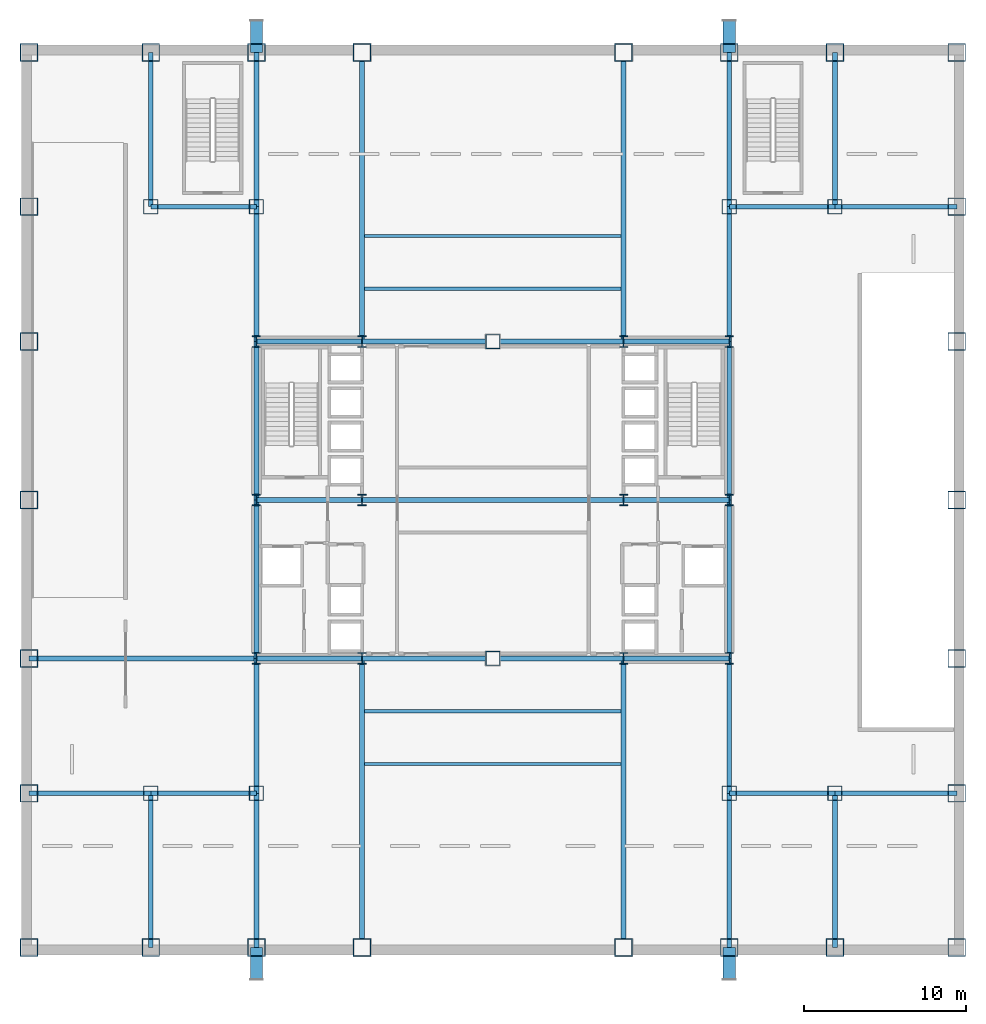
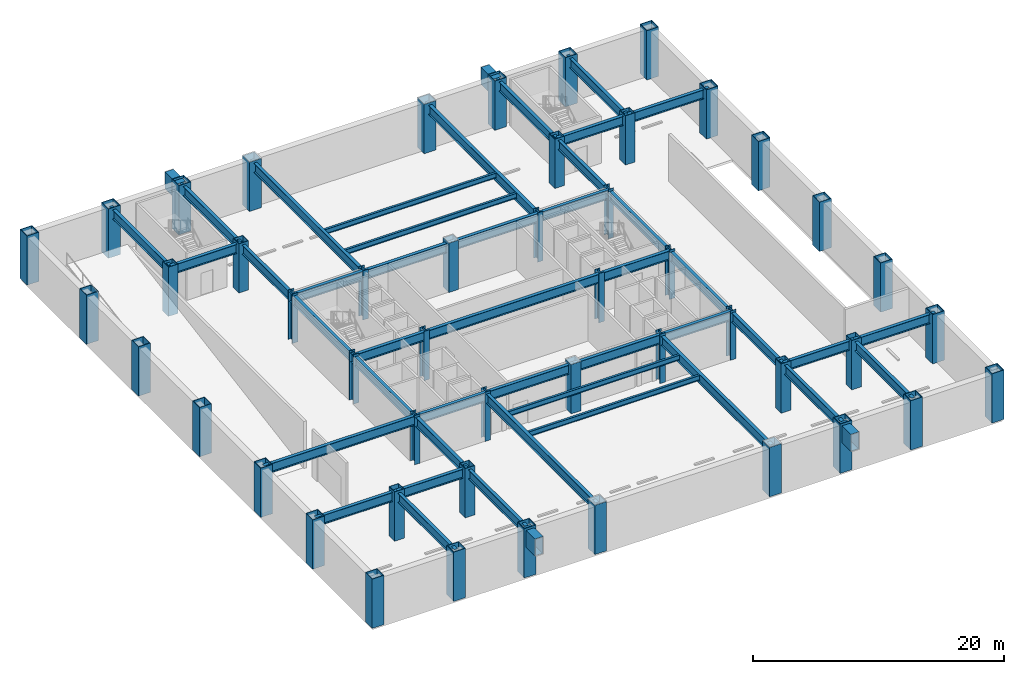
# One storey, part 1 of 10: 48 columns, 47 beams.
"""IFC4 building model written with IfcOpenShell, lengths in metres."""

from ifc_helpers import new_model, si_unit, direction, frame, origin, origin_2d, place, context, subcontext, project, spatial, hollow_rectangle, i_section, extrude, material, material_profile, profile_set, type_object, element, save


model = new_model("IFC4")

# Units and contexts
model_context = context("Model", 3, precision=1e-05, world=origin(), true_north=direction((0.0, 1.0)))
body_context = subcontext(model_context, "Body", "Model", "MODEL_VIEW")
ifc_project = project(units=[si_unit("LENGTHUNIT", "METRE"), si_unit("AREAUNIT", "SQUARE_METRE"), si_unit("VOLUMEUNIT", "CUBIC_METRE"), si_unit("PLANEANGLEUNIT", "RADIAN"), si_unit("MASSUNIT", "GRAM", prefix="KILO")], contexts=[model_context])

# Site, building, storey
site_placement = place(None, origin())
site = spatial("IfcSite", under=ifc_project, at=site_placement, CompositionType="ELEMENT")
building_placement = place(site_placement, origin())
building = spatial("IfcBuilding", under=site, at=building_placement, Name="Brelmoor Portico Tower", CompositionType="ELEMENT")
storey_placement = place(building_placement, frame((0.0, 0.0, -4.800048828125)))
storey = spatial("IfcBuildingStorey", under=building, at=storey_placement, Name="B1", CompositionType="ELEMENT", Elevation=-4.800048828125)

# Columns
ifc_material_1 = material(Name="Steel Q420B", Category="steel")
ifc_material_profile_1 = material_profile(ifc_material_1, hollow_rectangle(XDim=1.10009765625, YDim=1.10009765625, WallThickness=0.054931640625, at=origin_2d()), Name="BOX 1100x1100x55")
ifc_profile_set_1 = profile_set([ifc_material_profile_1], Name="Steel Q420B")
column_type_1 = type_object("IfcColumnType", Name="COL-MEGA-1100", PredefinedType="COLUMN", material=ifc_profile_set_1)
for number, where, z_axis, x_axis, name in (
    (1, (-28.550048828125, -27.550048828125, 0.0), (0.0, 0.0, 1.0), (1.0, 0.0, 0.0), "B1 Perimeter Mega-Column PS01"),
    (2, (-21.050048828125, -27.550048828125, 0.0), (0.0, 0.0, 1.0), (1.0, 0.0, 0.0), "B1 Perimeter Mega-Column PS02"),
    (3, (-14.550048828125, -27.550048828125, 0.0), (0.0, 0.0, 1.0), (1.0, 0.0, 0.0), "B1 Perimeter Mega-Column PS03"),
    (4, (-8.050048828125, -27.550048828125, 0.0), (0.0, 0.0, 1.0), (1.0, 0.0, 0.0), "B1 Perimeter Mega-Column PS04"),
    (5, (8.050048828125, -27.550048828125, 0.0), (0.0, 0.0, 1.0), (1.0, 0.0, 0.0), "B1 Perimeter Mega-Column PS05"),
    (6, (14.550048828125, -27.550048828125, 0.0), (0.0, 0.0, 1.0), (1.0, 0.0, 0.0), "B1 Perimeter Mega-Column PS06"),
    (7, (21.050048828125, -27.550048828125, 0.0), (0.0, 0.0, 1.0), (1.0, 0.0, 0.0), "B1 Perimeter Mega-Column PS07"),
    (8, (28.550048828125, -27.550048828125, 0.0), (0.0, 0.0, 1.0), (1.0, 0.0, 0.0), "B1 Perimeter Mega-Column PS08"),
    (9, (-28.550048828125, 27.550048828125, 0.0), (0.0, 0.0, 1.0), (1.0, 0.0, 0.0), "B1 Perimeter Mega-Column PN09"),
    (10, (-21.050048828125, 27.550048828125, 0.0), (0.0, 0.0, 1.0), (1.0, 0.0, 0.0), "B1 Perimeter Mega-Column PN10"),
    (11, (-14.550048828125, 27.550048828125, 0.0), (0.0, 0.0, 1.0), (1.0, 0.0, 0.0), "B1 Perimeter Mega-Column PN11"),
    (12, (-8.050048828125, 27.550048828125, 0.0), (0.0, 0.0, 1.0), (1.0, 0.0, 0.0), "B1 Perimeter Mega-Column PN12"),
    (13, (8.050048828125, 27.550048828125, 0.0), (0.0, 0.0, 1.0), (1.0, 0.0, 0.0), "B1 Perimeter Mega-Column PN13"),
    (14, (14.550048828125, 27.550048828125, 0.0), (0.0, 0.0, 1.0), (1.0, 0.0, 0.0), "B1 Perimeter Mega-Column PN14"),
    (15, (21.050048828125, 27.550048828125, 0.0), (0.0, 0.0, 1.0), (1.0, 0.0, 0.0), "B1 Perimeter Mega-Column PN15"),
    (16, (28.550048828125, 27.550048828125, 0.0), (0.0, 0.0, 1.0), (1.0, 0.0, 0.0), "B1 Perimeter Mega-Column PN16"),
    (17, (-28.550048828125, -18.050048828125, 0.0), (0.0, 0.0, 1.0), (0.0, 1.0, 0.0), "B1 Perimeter Mega-Column PW17"),
    (18, (28.550048828125, -18.050048828125, 0.0), (0.0, 0.0, 1.0), (0.0, 1.0, 0.0), "B1 Perimeter Mega-Column PE18"),
    (19, (-28.550048828125, -9.75, 0.0), (0.0, 0.0, 1.0), (0.0, 1.0, 0.0), "B1 Perimeter Mega-Column PW19"),
    (20, (28.550048828125, -9.75, 0.0), (0.0, 0.0, 1.0), (0.0, 1.0, 0.0), "B1 Perimeter Mega-Column PE20"),
    (21, (-28.550048828125, 0.0, 0.0), (0.0, 0.0, 1.0), (0.0, 1.0, 0.0), "B1 Perimeter Mega-Column PW21"),
    (22, (28.550048828125, 0.0, 0.0), (0.0, 0.0, 1.0), (0.0, 1.0, 0.0), "B1 Perimeter Mega-Column PE22"),
    (23, (-28.550048828125, 9.75, 0.0), (0.0, 0.0, 1.0), (0.0, 1.0, 0.0), "B1 Perimeter Mega-Column PW23"),
    (24, (28.550048828125, 9.75, 0.0), (0.0, 0.0, 1.0), (0.0, 1.0, 0.0), "B1 Perimeter Mega-Column PE24"),
    (25, (-28.550048828125, 18.050048828125, 0.0), (0.0, 0.0, 1.0), (0.0, 1.0, 0.0), "B1 Perimeter Mega-Column PW25"),
    (26, (28.550048828125, 18.050048828125, 0.0), (0.0, 0.0, 1.0), (0.0, 1.0, 0.0), "B1 Perimeter Mega-Column PE26"),
):
    element("IfcColumn", number, at=place(storey_placement, frame(where, z_axis=z_axis, x_axis=x_axis)), inside=storey, type_object=column_type_1, Name=name, PredefinedType="COLUMN", context=body_context, shape_type="SweptSolid", body=[
        extrude(hollow_rectangle(XDim=1.10009765625, YDim=1.10009765625, WallThickness=0.054931640625, at=origin_2d()), origin(), (0.0, 0.0, 1.0), 4.800048828125),
    ])
ifc_material_2 = material(Name="Steel Q355B", Category="steel")
ifc_material_profile_2 = material_profile(ifc_material_2, hollow_rectangle(XDim=0.89990234375, YDim=0.89990234375, WallThickness=0.044921875, at=origin_2d()), Name="BOX 900x900x45")
ifc_profile_set_2 = profile_set([ifc_material_profile_2], Name="Steel Q355B")
column_type_2 = type_object("IfcColumnType", Name="COL-MEGA-900", PredefinedType="COLUMN", material=ifc_profile_set_2)
for number, where, z_axis, x_axis, name in (
    (27, (0.0, -9.75, 0.0), (0.0, 0.0, 1.0), (1.0, 0.0, 0.0), "B1 Basement Central Column CB-S"),
    (28, (0.0, 9.75, 0.0), (0.0, 0.0, 1.0), (1.0, 0.0, 0.0), "B1 Basement Central Column CB-N"),
    (29, (-21.050048828125, -18.050048828125, 0.0), (0.0, 0.0, 1.0), (1.0, 0.0, 0.0), "B1 Podium Pier Column PP-SW1"),
    (30, (-14.550048828125, -18.050048828125, 0.0), (0.0, 0.0, 1.0), (1.0, 0.0, 0.0), "B1 Podium Pier Column PP-SW2"),
    (31, (-21.050048828125, 18.050048828125, 0.0), (0.0, 0.0, 1.0), (1.0, 0.0, 0.0), "B1 Podium Pier Column PP-NW1"),
    (32, (-14.550048828125, 18.050048828125, 0.0), (0.0, 0.0, 1.0), (1.0, 0.0, 0.0), "B1 Podium Pier Column PP-NW2"),
    (33, (14.550048828125, -18.050048828125, 0.0), (0.0, 0.0, 1.0), (1.0, 0.0, 0.0), "B1 Podium Pier Column PP-SE1"),
    (34, (21.050048828125, -18.050048828125, 0.0), (0.0, 0.0, 1.0), (1.0, 0.0, 0.0), "B1 Podium Pier Column PP-SE2"),
    (35, (14.550048828125, 18.050048828125, 0.0), (0.0, 0.0, 1.0), (1.0, 0.0, 0.0), "B1 Podium Pier Column PP-NE1"),
    (36, (21.050048828125, 18.050048828125, 0.0), (0.0, 0.0, 1.0), (1.0, 0.0, 0.0), "B1 Podium Pier Column PP-NE2"),
):
    element("IfcColumn", number, at=place(storey_placement, frame(where, z_axis=z_axis, x_axis=x_axis)), inside=storey, type_object=column_type_2, Name=name, PredefinedType="COLUMN", context=body_context, shape_type="SweptSolid", body=[
        extrude(hollow_rectangle(XDim=0.89990234375, YDim=0.89990234375, WallThickness=0.044921875, at=origin_2d()), origin(), (0.0, 0.0, 1.0), 4.800048828125),
    ])
ifc_material_profile_3 = material_profile(ifc_material_1, i_section(OverallWidth=0.5, OverallDepth=0.699951171875, WebThickness=0.028076171875, FlangeThickness=0.044921875, at=origin_2d()), Name="HW 700x500x28x45")
ifc_profile_set_3 = profile_set([ifc_material_profile_3], Name="Steel Q420B")
column_type_3 = type_object("IfcColumnType", Name="COL-SPINE-700", PredefinedType="COLUMN", material=ifc_profile_set_3)
for number, where, z_axis, x_axis, name in (
    (37, (-14.550048828125, -9.75, 0.0), (0.0, 0.0, 1.0), (1.0, 0.0, 0.0), "B1 Core Spine Column CW-SW"),
    (38, (-14.550048828125, 0.0, 0.0), (0.0, 0.0, 1.0), (1.0, 0.0, 0.0), "B1 Core Spine Column CW-MW"),
    (39, (-14.550048828125, 9.75, 0.0), (0.0, 0.0, 1.0), (1.0, 0.0, 0.0), "B1 Core Spine Column CW-NW"),
    (40, (-8.050048828125, -9.75, 0.0), (0.0, 0.0, 1.0), (1.0, 0.0, 0.0), "B1 Core Spine Column CW-SE"),
    (41, (-8.050048828125, 0.0, 0.0), (0.0, 0.0, 1.0), (1.0, 0.0, 0.0), "B1 Core Spine Column CW-ME"),
    (42, (-8.050048828125, 9.75, 0.0), (0.0, 0.0, 1.0), (1.0, 0.0, 0.0), "B1 Core Spine Column CW-NE"),
    (43, (8.050048828125, -9.75, 0.0), (0.0, 0.0, 1.0), (1.0, 0.0, 0.0), "B1 Core Spine Column CE-SW"),
    (44, (8.050048828125, 0.0, 0.0), (0.0, 0.0, 1.0), (1.0, 0.0, 0.0), "B1 Core Spine Column CE-MW"),
    (45, (8.050048828125, 9.75, 0.0), (0.0, 0.0, 1.0), (1.0, 0.0, 0.0), "B1 Core Spine Column CE-NW"),
    (46, (14.550048828125, -9.75, 0.0), (0.0, 0.0, 1.0), (1.0, 0.0, 0.0), "B1 Core Spine Column CE-SE"),
    (47, (14.550048828125, 0.0, 0.0), (0.0, 0.0, 1.0), (1.0, 0.0, 0.0), "B1 Core Spine Column CE-ME"),
    (48, (14.550048828125, 9.75, 0.0), (0.0, 0.0, 1.0), (1.0, 0.0, 0.0), "B1 Core Spine Column CE-NE"),
):
    element("IfcColumn", number, at=place(storey_placement, frame(where, z_axis=z_axis, x_axis=x_axis)), inside=storey, type_object=column_type_3, Name=name, PredefinedType="COLUMN", context=body_context, shape_type="SweptSolid", body=[
        extrude(i_section(OverallWidth=0.5, OverallDepth=0.699951171875, WebThickness=0.028076171875, FlangeThickness=0.044921875, at=origin_2d()), origin(), (0.0, 0.0, 1.0), 4.800048828125),
    ])

# Beams
ifc_material_profile_4 = material_profile(ifc_material_2, i_section(OverallWidth=0.199951171875, OverallDepth=0.5, WebThickness=0.010009765625, FlangeThickness=0.01611328125, at=origin_2d()), Name="HN 500x200x10x16")
ifc_profile_set_4 = profile_set([ifc_material_profile_4], Name="Steel Q355B")
beam_type_1 = type_object("IfcBeamType", Name="BM-JS-500", PredefinedType="JOIST", material=ifc_profile_set_4)
for number, where, z_axis, x_axis, name in (
    (49, (-7.89990234375, -16.25, 4.330078125), (1.0, 0.0, 0.0), (0.0, 1.0, 0.0), "B1 Secondary Composite Joist JS-C01"),
    (50, (-7.89990234375, -13.0, 4.330078125), (1.0, 0.0, 0.0), (0.0, 1.0, 0.0), "B1 Secondary Composite Joist JS-C02"),
    (51, (-7.89990234375, 13.0, 4.330078125), (1.0, 0.0, 0.0), (0.0, 1.0, 0.0), "B1 Secondary Composite Joist JS-C03"),
    (52, (-7.89990234375, 16.25, 4.330078125), (1.0, 0.0, 0.0), (0.0, 1.0, 0.0), "B1 Secondary Composite Joist JS-C04"),
):
    element("IfcBeam", number, at=place(storey_placement, frame(where, z_axis=z_axis, x_axis=x_axis)), inside=storey, type_object=beam_type_1, Name=name, PredefinedType="JOIST", context=body_context, shape_type="SweptSolid", body=[
        extrude(i_section(OverallWidth=0.199951171875, OverallDepth=0.5, WebThickness=0.010009765625, FlangeThickness=0.01611328125, at=origin_2d()), origin(), (0.0, 0.0, 1.0), 15.7998046875),
    ])
ifc_material_profile_5 = material_profile(ifc_material_2, hollow_rectangle(XDim=0.75, YDim=1.659912109375, WallThickness=0.0419921875, at=origin_2d()), Name="BOX 750x1660x42")
ifc_profile_set_5 = profile_set([ifc_material_profile_5], Name="Steel Q355B")
beam_type_2 = type_object("IfcBeamType", Name="BM-PF-CANT", PredefinedType="BEAM", material=ifc_profile_set_5)
for number, where, z_axis, x_axis, name in (
    (53, (-14.550048828125, -29.5, 3.75), (0.0, 1.0, 0.0), (-1.0, 0.0, 0.0), "B1 Entrance Portal Outrigger Transfer Cantilever EPB-01"),
    (54, (14.550048828125, -29.5, 3.75), (0.0, 1.0, 0.0), (-1.0, 0.0, 0.0), "B1 Entrance Portal Outrigger Transfer Cantilever EPB-02"),
    (55, (-14.550048828125, 27.550048828125, 3.75), (0.0, 1.0, 0.0), (-1.0, 0.0, 0.0), "B1 Entrance Portal Outrigger Transfer Cantilever EPB-03"),
    (56, (14.550048828125, 27.550048828125, 3.75), (0.0, 1.0, 0.0), (-1.0, 0.0, 0.0), "B1 Entrance Portal Outrigger Transfer Cantilever EPB-04"),
):
    element("IfcBeam", number, at=place(storey_placement, frame(where, z_axis=z_axis, x_axis=x_axis)), inside=storey, type_object=beam_type_2, Name=name, PredefinedType="BEAM", context=body_context, shape_type="SweptSolid", body=[
        extrude(hollow_rectangle(XDim=0.75, YDim=1.659912109375, WallThickness=0.0419921875, at=origin_2d()), origin(), (0.0, 0.0, 1.0), 1.949951171875),
    ])
ifc_material_profile_6 = material_profile(ifc_material_2, i_section(OverallWidth=0.300048828125, OverallDepth=0.89990234375, WebThickness=0.01611328125, FlangeThickness=0.028076171875, at=origin_2d()), Name="HN 900x300x16x28")
ifc_profile_set_6 = profile_set([ifc_material_profile_6], Name="Steel Q355B")
beam_type_3 = type_object("IfcBeamType", Name="BM-PG-900", PredefinedType="BEAM", material=ifc_profile_set_6)
for number, where, z_axis, x_axis, name in (
    (57, (-21.050048828125, -27.550048828125, 4.130126953125), (0.0, 1.0, 0.0), (-1.0, 0.0, 0.0), "B1 Primary Floor Girder PG-01"),
    (58, (-21.050048828125, 18.050048828125, 4.130126953125), (0.0, 1.0, 0.0), (-1.0, 0.0, 0.0), "B1 Primary Floor Girder PG-02"),
    (59, (-14.550048828125, -27.550048828125, 4.130126953125), (0.0, 1.0, 0.0), (-1.0, 0.0, 0.0), "B1 Primary Floor Girder PG-03"),
):
    element("IfcBeam", number, at=place(storey_placement, frame(where, z_axis=z_axis, x_axis=x_axis)), inside=storey, type_object=beam_type_3, Name=name, PredefinedType="BEAM", context=body_context, shape_type="SweptSolid", body=[
        extrude(i_section(OverallWidth=0.300048828125, OverallDepth=0.89990234375, WebThickness=0.01611328125, FlangeThickness=0.028076171875, at=origin_2d()), origin(), (0.0, 0.0, 1.0), 9.5),
    ])
beam_1_placement = place(storey_placement, frame((-14.550048828125, -18.050048828125, 4.130126953125), z_axis=(0.0, 1.0, 0.0), x_axis=(-1.0, 0.0, 0.0)))
element("IfcBeam", 60, at=beam_1_placement, inside=storey, type_object=beam_type_3, Name="B1 Primary Floor Girder PG-04", PredefinedType="BEAM", context=body_context, shape_type="SweptSolid", body=[
    extrude(i_section(OverallWidth=0.300048828125, OverallDepth=0.89990234375, WebThickness=0.01611328125, FlangeThickness=0.028076171875, at=origin_2d()), origin(), (0.0, 0.0, 1.0), 8.300048828125),
])
for number, where, z_axis, x_axis, name in (
    (61, (-14.550048828125, -9.75, 4.130126953125), (0.0, 1.0, 0.0), (-1.0, 0.0, 0.0), "B1 Primary Floor Girder PG-05"),
    (62, (-14.550048828125, 0.0, 4.130126953125), (0.0, 1.0, 0.0), (-1.0, 0.0, 0.0), "B1 Primary Floor Girder PG-06"),
):
    element("IfcBeam", number, at=place(storey_placement, frame(where, z_axis=z_axis, x_axis=x_axis)), inside=storey, type_object=beam_type_3, Name=name, PredefinedType="BEAM", context=body_context, shape_type="SweptSolid", body=[
        extrude(i_section(OverallWidth=0.300048828125, OverallDepth=0.89990234375, WebThickness=0.01611328125, FlangeThickness=0.028076171875, at=origin_2d()), origin(), (0.0, 0.0, 1.0), 9.75),
    ])
beam_2_placement = place(storey_placement, frame((-14.550048828125, 9.75, 4.130126953125), z_axis=(0.0, 1.0, 0.0), x_axis=(-1.0, 0.0, 0.0)))
element("IfcBeam", 63, at=beam_2_placement, inside=storey, type_object=beam_type_3, Name="B1 Primary Floor Girder PG-07", PredefinedType="BEAM", context=body_context, shape_type="SweptSolid", body=[
    extrude(i_section(OverallWidth=0.300048828125, OverallDepth=0.89990234375, WebThickness=0.01611328125, FlangeThickness=0.028076171875, at=origin_2d()), origin(), (0.0, 0.0, 1.0), 8.300048828125),
])
beam_3_placement = place(storey_placement, frame((-14.550048828125, 18.050048828125, 4.130126953125), z_axis=(0.0, 1.0, 0.0), x_axis=(-1.0, 0.0, 0.0)))
element("IfcBeam", 64, at=beam_3_placement, inside=storey, type_object=beam_type_3, Name="B1 Primary Floor Girder PG-08", PredefinedType="BEAM", context=body_context, shape_type="SweptSolid", body=[
    extrude(i_section(OverallWidth=0.300048828125, OverallDepth=0.89990234375, WebThickness=0.01611328125, FlangeThickness=0.028076171875, at=origin_2d()), origin(), (0.0, 0.0, 1.0), 9.5),
])
for number, where, z_axis, x_axis, name in (
    (65, (-8.050048828125, -27.550048828125, 4.130126953125), (0.0, 1.0, 0.0), (-1.0, 0.0, 0.0), "B1 Primary Floor Girder PG-09"),
    (66, (-8.050048828125, 9.75, 4.130126953125), (0.0, 1.0, 0.0), (-1.0, 0.0, 0.0), "B1 Primary Floor Girder PG-10"),
    (67, (8.050048828125, -27.550048828125, 4.130126953125), (0.0, 1.0, 0.0), (-1.0, 0.0, 0.0), "B1 Primary Floor Girder PG-11"),
    (68, (8.050048828125, 9.75, 4.130126953125), (0.0, 1.0, 0.0), (-1.0, 0.0, 0.0), "B1 Primary Floor Girder PG-12"),
):
    element("IfcBeam", number, at=place(storey_placement, frame(where, z_axis=z_axis, x_axis=x_axis)), inside=storey, type_object=beam_type_3, Name=name, PredefinedType="BEAM", context=body_context, shape_type="SweptSolid", body=[
        extrude(i_section(OverallWidth=0.300048828125, OverallDepth=0.89990234375, WebThickness=0.01611328125, FlangeThickness=0.028076171875, at=origin_2d()), origin(), (0.0, 0.0, 1.0), 17.800048828125),
    ])
beam_4_placement = place(storey_placement, frame((14.550048828125, -27.550048828125, 4.130126953125), z_axis=(0.0, 1.0, 0.0), x_axis=(-1.0, 0.0, 0.0)))
element("IfcBeam", 69, at=beam_4_placement, inside=storey, type_object=beam_type_3, Name="B1 Primary Floor Girder PG-13", PredefinedType="BEAM", context=body_context, shape_type="SweptSolid", body=[
    extrude(i_section(OverallWidth=0.300048828125, OverallDepth=0.89990234375, WebThickness=0.01611328125, FlangeThickness=0.028076171875, at=origin_2d()), origin(), (0.0, 0.0, 1.0), 9.5),
])
beam_5_placement = place(storey_placement, frame((14.550048828125, -18.050048828125, 4.130126953125), z_axis=(0.0, 1.0, 0.0), x_axis=(-1.0, 0.0, 0.0)))
element("IfcBeam", 70, at=beam_5_placement, inside=storey, type_object=beam_type_3, Name="B1 Primary Floor Girder PG-14", PredefinedType="BEAM", context=body_context, shape_type="SweptSolid", body=[
    extrude(i_section(OverallWidth=0.300048828125, OverallDepth=0.89990234375, WebThickness=0.01611328125, FlangeThickness=0.028076171875, at=origin_2d()), origin(), (0.0, 0.0, 1.0), 8.300048828125),
])
for number, where, z_axis, x_axis, name in (
    (71, (14.550048828125, -9.75, 4.130126953125), (0.0, 1.0, 0.0), (-1.0, 0.0, 0.0), "B1 Primary Floor Girder PG-15"),
    (72, (14.550048828125, 0.0, 4.130126953125), (0.0, 1.0, 0.0), (-1.0, 0.0, 0.0), "B1 Primary Floor Girder PG-16"),
):
    element("IfcBeam", number, at=place(storey_placement, frame(where, z_axis=z_axis, x_axis=x_axis)), inside=storey, type_object=beam_type_3, Name=name, PredefinedType="BEAM", context=body_context, shape_type="SweptSolid", body=[
        extrude(i_section(OverallWidth=0.300048828125, OverallDepth=0.89990234375, WebThickness=0.01611328125, FlangeThickness=0.028076171875, at=origin_2d()), origin(), (0.0, 0.0, 1.0), 9.75),
    ])
beam_6_placement = place(storey_placement, frame((14.550048828125, 9.75, 4.130126953125), z_axis=(0.0, 1.0, 0.0), x_axis=(-1.0, 0.0, 0.0)))
element("IfcBeam", 73, at=beam_6_placement, inside=storey, type_object=beam_type_3, Name="B1 Primary Floor Girder PG-17", PredefinedType="BEAM", context=body_context, shape_type="SweptSolid", body=[
    extrude(i_section(OverallWidth=0.300048828125, OverallDepth=0.89990234375, WebThickness=0.01611328125, FlangeThickness=0.028076171875, at=origin_2d()), origin(), (0.0, 0.0, 1.0), 8.300048828125),
])
for number, where, z_axis, x_axis, name in (
    (74, (14.550048828125, 18.050048828125, 4.130126953125), (0.0, 1.0, 0.0), (-1.0, 0.0, 0.0), "B1 Primary Floor Girder PG-18"),
    (75, (21.050048828125, -27.550048828125, 4.130126953125), (0.0, 1.0, 0.0), (-1.0, 0.0, 0.0), "B1 Primary Floor Girder PG-19"),
    (76, (21.050048828125, 18.050048828125, 4.130126953125), (0.0, 1.0, 0.0), (-1.0, 0.0, 0.0), "B1 Primary Floor Girder PG-20"),
):
    element("IfcBeam", number, at=place(storey_placement, frame(where, z_axis=z_axis, x_axis=x_axis)), inside=storey, type_object=beam_type_3, Name=name, PredefinedType="BEAM", context=body_context, shape_type="SweptSolid", body=[
        extrude(i_section(OverallWidth=0.300048828125, OverallDepth=0.89990234375, WebThickness=0.01611328125, FlangeThickness=0.028076171875, at=origin_2d()), origin(), (0.0, 0.0, 1.0), 9.5),
    ])
beam_7_placement = place(storey_placement, frame((-28.550048828125, -18.050048828125, 4.130126953125), z_axis=(1.0, 0.0, 0.0), x_axis=(0.0, 1.0, 0.0)))
element("IfcBeam", 77, at=beam_7_placement, inside=storey, type_object=beam_type_3, Name="B1 Primary Floor Girder PG-21", PredefinedType="BEAM", context=body_context, shape_type="SweptSolid", body=[
    extrude(i_section(OverallWidth=0.300048828125, OverallDepth=0.89990234375, WebThickness=0.01611328125, FlangeThickness=0.028076171875, at=origin_2d()), origin(), (0.0, 0.0, 1.0), 7.5),
])
for number, where, z_axis, x_axis, name in (
    (78, (-21.050048828125, -18.050048828125, 4.130126953125), (1.0, 0.0, 0.0), (0.0, 1.0, 0.0), "B1 Primary Floor Girder PG-22"),
    (79, (14.550048828125, -18.050048828125, 4.130126953125), (1.0, 0.0, 0.0), (0.0, 1.0, 0.0), "B1 Primary Floor Girder PG-23"),
):
    element("IfcBeam", number, at=place(storey_placement, frame(where, z_axis=z_axis, x_axis=x_axis)), inside=storey, type_object=beam_type_3, Name=name, PredefinedType="BEAM", context=body_context, shape_type="SweptSolid", body=[
        extrude(i_section(OverallWidth=0.300048828125, OverallDepth=0.89990234375, WebThickness=0.01611328125, FlangeThickness=0.028076171875, at=origin_2d()), origin(), (0.0, 0.0, 1.0), 6.5),
    ])
beam_8_placement = place(storey_placement, frame((21.050048828125, -18.050048828125, 4.130126953125), z_axis=(1.0, 0.0, 0.0), x_axis=(0.0, 1.0, 0.0)))
element("IfcBeam", 80, at=beam_8_placement, inside=storey, type_object=beam_type_3, Name="B1 Primary Floor Girder PG-24", PredefinedType="BEAM", context=body_context, shape_type="SweptSolid", body=[
    extrude(i_section(OverallWidth=0.300048828125, OverallDepth=0.89990234375, WebThickness=0.01611328125, FlangeThickness=0.028076171875, at=origin_2d()), origin(), (0.0, 0.0, 1.0), 7.5),
])
beam_9_placement = place(storey_placement, frame((-28.550048828125, -9.75, 4.130126953125), z_axis=(1.0, 0.0, 0.0), x_axis=(0.0, 1.0, 0.0)))
element("IfcBeam", 81, at=beam_9_placement, inside=storey, type_object=beam_type_3, Name="B1 Primary Floor Girder PG-25", PredefinedType="BEAM", context=body_context, shape_type="SweptSolid", body=[
    extrude(i_section(OverallWidth=0.300048828125, OverallDepth=0.89990234375, WebThickness=0.01611328125, FlangeThickness=0.028076171875, at=origin_2d()), origin(), (0.0, 0.0, 1.0), 14.0),
])
beam_10_placement = place(storey_placement, frame((-14.550048828125, -9.75, 4.130126953125), z_axis=(1.0, 0.0, 0.0), x_axis=(0.0, 1.0, 0.0)))
element("IfcBeam", 82, at=beam_10_placement, inside=storey, type_object=beam_type_3, Name="B1 Primary Floor Girder PG-26", PredefinedType="BEAM", context=body_context, shape_type="SweptSolid", body=[
    extrude(i_section(OverallWidth=0.300048828125, OverallDepth=0.89990234375, WebThickness=0.01611328125, FlangeThickness=0.028076171875, at=origin_2d()), origin(), (0.0, 0.0, 1.0), 6.5),
])
for number, where, z_axis, x_axis, name in (
    (83, (-8.050048828125, -9.75, 4.130126953125), (1.0, 0.0, 0.0), (0.0, 1.0, 0.0), "B1 Primary Floor Girder PG-27"),
    (84, (0.0, -9.75, 4.130126953125), (1.0, 0.0, 0.0), (0.0, 1.0, 0.0), "B1 Primary Floor Girder PG-28"),
):
    element("IfcBeam", number, at=place(storey_placement, frame(where, z_axis=z_axis, x_axis=x_axis)), inside=storey, type_object=beam_type_3, Name=name, PredefinedType="BEAM", context=body_context, shape_type="SweptSolid", body=[
        extrude(i_section(OverallWidth=0.300048828125, OverallDepth=0.89990234375, WebThickness=0.01611328125, FlangeThickness=0.028076171875, at=origin_2d()), origin(), (0.0, 0.0, 1.0), 8.050048828125),
    ])
for number, where, z_axis, x_axis, name in (
    (85, (8.050048828125, -9.75, 4.130126953125), (1.0, 0.0, 0.0), (0.0, 1.0, 0.0), "B1 Primary Floor Girder PG-29"),
    (86, (-14.550048828125, 0.0, 4.130126953125), (1.0, 0.0, 0.0), (0.0, 1.0, 0.0), "B1 Primary Floor Girder PG-30"),
):
    element("IfcBeam", number, at=place(storey_placement, frame(where, z_axis=z_axis, x_axis=x_axis)), inside=storey, type_object=beam_type_3, Name=name, PredefinedType="BEAM", context=body_context, shape_type="SweptSolid", body=[
        extrude(i_section(OverallWidth=0.300048828125, OverallDepth=0.89990234375, WebThickness=0.01611328125, FlangeThickness=0.028076171875, at=origin_2d()), origin(), (0.0, 0.0, 1.0), 6.5),
    ])
beam_11_placement = place(storey_placement, frame((-8.050048828125, 0.0, 4.130126953125), z_axis=(1.0, 0.0, 0.0), x_axis=(0.0, 1.0, 0.0)))
element("IfcBeam", 87, at=beam_11_placement, inside=storey, type_object=beam_type_3, Name="B1 Primary Floor Girder PG-31", PredefinedType="BEAM", context=body_context, shape_type="SweptSolid", body=[
    extrude(i_section(OverallWidth=0.300048828125, OverallDepth=0.89990234375, WebThickness=0.01611328125, FlangeThickness=0.028076171875, at=origin_2d()), origin(), (0.0, 0.0, 1.0), 16.10009765625),
])
for number, where, z_axis, x_axis, name in (
    (88, (8.050048828125, 0.0, 4.130126953125), (1.0, 0.0, 0.0), (0.0, 1.0, 0.0), "B1 Primary Floor Girder PG-32"),
    (89, (-14.550048828125, 9.75, 4.130126953125), (1.0, 0.0, 0.0), (0.0, 1.0, 0.0), "B1 Primary Floor Girder PG-33"),
):
    element("IfcBeam", number, at=place(storey_placement, frame(where, z_axis=z_axis, x_axis=x_axis)), inside=storey, type_object=beam_type_3, Name=name, PredefinedType="BEAM", context=body_context, shape_type="SweptSolid", body=[
        extrude(i_section(OverallWidth=0.300048828125, OverallDepth=0.89990234375, WebThickness=0.01611328125, FlangeThickness=0.028076171875, at=origin_2d()), origin(), (0.0, 0.0, 1.0), 6.5),
    ])
for number, where, z_axis, x_axis, name in (
    (90, (-8.050048828125, 9.75, 4.130126953125), (1.0, 0.0, 0.0), (0.0, 1.0, 0.0), "B1 Primary Floor Girder PG-34"),
    (91, (0.0, 9.75, 4.130126953125), (1.0, 0.0, 0.0), (0.0, 1.0, 0.0), "B1 Primary Floor Girder PG-35"),
):
    element("IfcBeam", number, at=place(storey_placement, frame(where, z_axis=z_axis, x_axis=x_axis)), inside=storey, type_object=beam_type_3, Name=name, PredefinedType="BEAM", context=body_context, shape_type="SweptSolid", body=[
        extrude(i_section(OverallWidth=0.300048828125, OverallDepth=0.89990234375, WebThickness=0.01611328125, FlangeThickness=0.028076171875, at=origin_2d()), origin(), (0.0, 0.0, 1.0), 8.050048828125),
    ])
for number, where, z_axis, x_axis, name in (
    (92, (8.050048828125, 9.75, 4.130126953125), (1.0, 0.0, 0.0), (0.0, 1.0, 0.0), "B1 Primary Floor Girder PG-36"),
    (93, (-21.050048828125, 18.050048828125, 4.130126953125), (1.0, 0.0, 0.0), (0.0, 1.0, 0.0), "B1 Primary Floor Girder PG-37"),
    (94, (14.550048828125, 18.050048828125, 4.130126953125), (1.0, 0.0, 0.0), (0.0, 1.0, 0.0), "B1 Primary Floor Girder PG-38"),
):
    element("IfcBeam", number, at=place(storey_placement, frame(where, z_axis=z_axis, x_axis=x_axis)), inside=storey, type_object=beam_type_3, Name=name, PredefinedType="BEAM", context=body_context, shape_type="SweptSolid", body=[
        extrude(i_section(OverallWidth=0.300048828125, OverallDepth=0.89990234375, WebThickness=0.01611328125, FlangeThickness=0.028076171875, at=origin_2d()), origin(), (0.0, 0.0, 1.0), 6.5),
    ])
beam_12_placement = place(storey_placement, frame((21.050048828125, 18.050048828125, 4.130126953125), z_axis=(1.0, 0.0, 0.0), x_axis=(0.0, 1.0, 0.0)))
element("IfcBeam", 95, at=beam_12_placement, inside=storey, type_object=beam_type_3, Name="B1 Primary Floor Girder PG-39", PredefinedType="BEAM", context=body_context, shape_type="SweptSolid", body=[
    extrude(i_section(OverallWidth=0.300048828125, OverallDepth=0.89990234375, WebThickness=0.01611328125, FlangeThickness=0.028076171875, at=origin_2d()), origin(), (0.0, 0.0, 1.0), 7.5),
])

save(model, "model.ifc")
